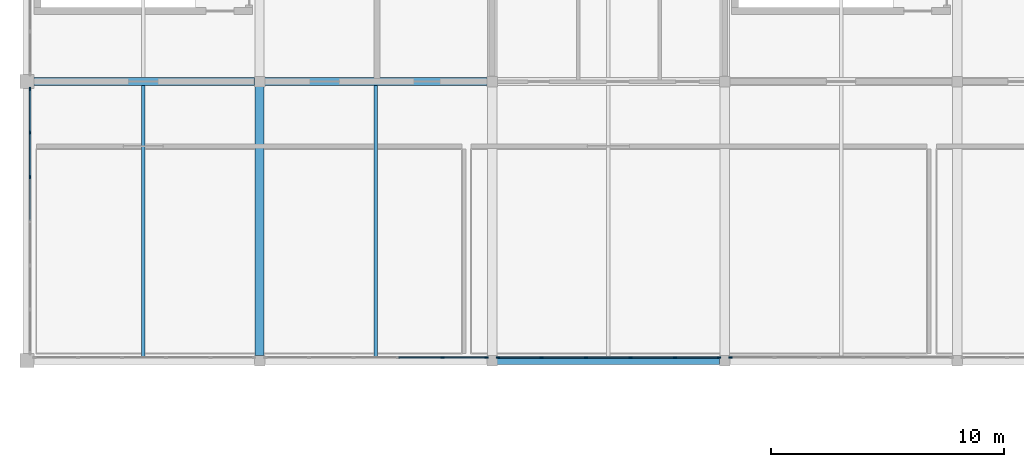
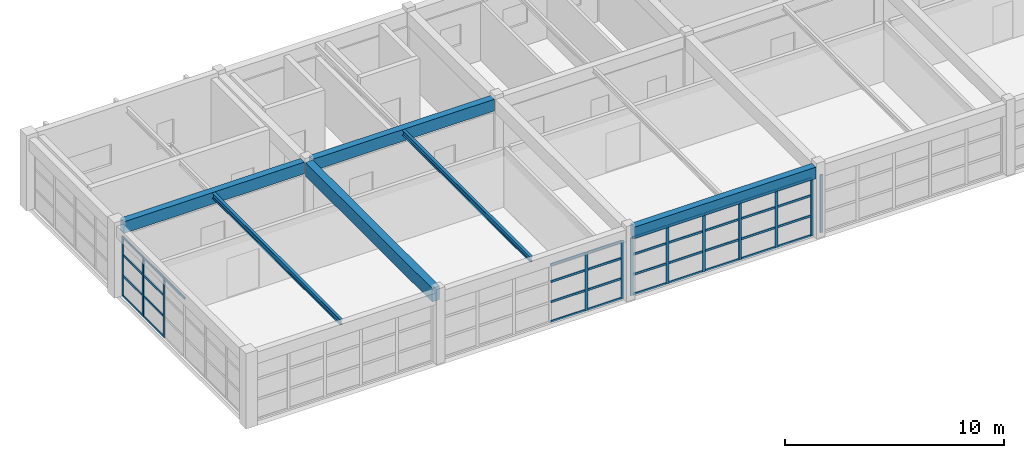
# One storey, part 4 of 16: 49 members, 6 beams, 4 elements without a shape of their own.
"""IFC4 building model written with IfcOpenShell, lengths in metres."""

import ifcopenshell
import ifcopenshell.guid

model = None  # the IFC model being written
_history = None  # IfcOwnerHistory: only IFC2X3 demands one
_inside = {}  # id of a spatial element -> (the spatial element, [elements in it])
_under = {}  # id of a project, library or spatial element -> (it, [spatial elements below it])
_declared = {}  # id of a project -> (the project, [libraries it declares])
_typed = {}  # id of a type object -> (the type object, [elements of that type])
_made_of = {}  # id of a material, layer set ... -> (it, [elements and type objects made of it])


def new_model(schema):
    """Start an empty IFC model of exactly this schema.

    Asked for "IFC4X3", IfcOpenShell would pick the latest addendum, in which some entities
    have other attributes; the version numbers below select the first issue.
    IFC2X3 requires an IfcOwnerHistory on every rooted entity: one is made here for all.
    """
    global model, _history
    if schema == "IFC4X3":
        model = ifcopenshell.file(schema_version=(4, 3, 0, 0))
    else:
        model = ifcopenshell.file(schema=schema)
    _inside.clear()
    _under.clear()
    _declared.clear()
    _typed.clear()
    _made_of.clear()
    _history = None
    if model.schema == "IFC2X3":
        org = make("IfcOrganization", Name="unknown")
        user = make(
            "IfcPersonAndOrganization",
            ThePerson=make("IfcPerson", FamilyName="unknown"),
            TheOrganization=org,
        )
        app = make(
            "IfcApplication",
            ApplicationDeveloper=org,
            Version="unknown",
            ApplicationFullName="unknown",
            ApplicationIdentifier="unknown",
        )
        _history = make(
            "IfcOwnerHistory",
            OwningUser=user,
            OwningApplication=app,
            ChangeAction="ADDED",
            CreationDate=0,
        )
    return model


def make(cls, **values):
    """One entity of the class cls with the attributes given. An attribute that is None is left unset."""
    return model.create_entity(
        cls, **{name: value for name, value in values.items() if value is not None}
    )


def rooted(cls, **values):
    """An entity with a GlobalId (a new one), such as an element, a storey or a relation."""
    return make(cls, GlobalId=ifcopenshell.guid.new(), OwnerHistory=_history, **values)


def si_unit(unit_type, name, prefix=None):
    """IfcSIUnit, for example si_unit("LENGTHUNIT", "METRE", prefix="MILLI")."""
    return make("IfcSIUnit", UnitType=unit_type, Prefix=prefix, Name=name)


def assignment(units):
    """IfcUnitAssignment: the units of a project."""
    return None if units is None else make("IfcUnitAssignment", Units=units)


def point(xyz):
    """IfcCartesianPoint."""
    return None if xyz is None else make("IfcCartesianPoint", Coordinates=xyz)


def direction(xyz):
    """IfcDirection."""
    return None if xyz is None else make("IfcDirection", DirectionRatios=xyz)


def frame(location, z_axis=None, x_axis=None):
    """IfcAxis2Placement3D, a coordinate frame: its origin and axes. An axis left out is left unset."""
    return make(
        "IfcAxis2Placement3D",
        Location=point(location),
        Axis=direction(z_axis),
        RefDirection=direction(x_axis),
    )


def frame_2d(location, x_axis=None):
    """IfcAxis2Placement2D, a coordinate frame in the plane: its origin and x axis."""
    return make(
        "IfcAxis2Placement2D", Location=point(location), RefDirection=direction(x_axis)
    )


def origin():
    """The frame at (0, 0, 0) with its axes left unset."""
    return frame((0.0, 0.0, 0.0))


def origin_2d():
    """The frame at (0, 0) in the plane with its x axis left unset."""
    return frame_2d((0.0, 0.0))


def place(relative_to, where):
    """IfcLocalPlacement: puts the frame where relative to a parent placement (None: the world)."""
    return make(
        "IfcLocalPlacement", PlacementRelTo=relative_to, RelativePlacement=where
    )


def context(
    kind, dimensions, precision=None, world=None, true_north=None, identifier=None
):
    """IfcGeometricRepresentationContext, for example the 3D "Model" context."""
    return make(
        "IfcGeometricRepresentationContext",
        ContextIdentifier=identifier,
        ContextType=kind,
        CoordinateSpaceDimension=dimensions,
        Precision=precision,
        WorldCoordinateSystem=world,
        TrueNorth=true_north,
    )


def subcontext(parent, identifier, kind, view, scale=None):
    """IfcGeometricRepresentationSubContext, for example "Body" below "Model"."""
    return make(
        "IfcGeometricRepresentationSubContext",
        ContextIdentifier=identifier,
        ContextType=kind,
        ParentContext=parent,
        TargetScale=scale,
        TargetView=view,
    )


def project(units=None, contexts=None):
    """IfcProject with its units and contexts."""
    return rooted(
        "IfcProject",
        Name="project",
        RepresentationContexts=contexts,
        UnitsInContext=assignment(units),
    )


def spatial(cls, under=None, at=None, **own):
    """A site, building, storey or space (cls), placed at a placement, below another one or the project."""
    s = rooted(cls, ObjectPlacement=at, **own)
    if under is not None:
        _under.setdefault(under.id(), (under, []))[1].append(s)
    return s


def profile(cls, at=None, kind="AREA", **sizes):
    """A parametric profile (cls). Its sizes go by their IFC names, for example OverallWidth=200.0."""
    return make(cls, ProfileType=kind, Position=at, **sizes)


def rectangle(**sizes):
    """IfcRectangleProfileDef."""
    return profile("IfcRectangleProfileDef", **sizes)


def i_section(**sizes):
    """IfcIShapeProfileDef."""
    return profile("IfcIShapeProfileDef", **sizes)


def extrude(swept, where, along, depth):
    """IfcExtrudedAreaSolid: the profile swept, set in the frame where, extruded along a direction by depth."""
    return make(
        "IfcExtrudedAreaSolid",
        SweptArea=swept,
        Position=where,
        ExtrudedDirection=direction(along),
        Depth=depth,
    )


def shape(context_of_items, identifier, shape_type, items):
    """IfcShapeRepresentation: the items that make up one representation, for example the "Body"."""
    return make(
        "IfcShapeRepresentation",
        ContextOfItems=context_of_items,
        RepresentationIdentifier=identifier,
        RepresentationType=shape_type,
        Items=items,
    )


def material(Name=None, Category=None):
    """IfcMaterial."""
    return make("IfcMaterial", Name=Name, Category=Category)


def layer(
    of_material, thickness, ventilated=None, Name=None, Category=None, Priority=None
):
    """IfcMaterialLayer: one layer of a wall or slab, of a material (None: an air gap)."""
    return make(
        "IfcMaterialLayer",
        Material=of_material,
        LayerThickness=thickness,
        IsVentilated=ventilated,
        Name=Name,
        Category=Category,
        Priority=Priority,
    )


def layer_set(layers, Name=None):
    """IfcMaterialLayerSet."""
    return make("IfcMaterialLayerSet", MaterialLayers=layers, LayerSetName=Name)


def material_profile(
    of_material, cross_section, Name=None, Category=None, Priority=None
):
    """IfcMaterialProfile: a cross section and its material."""
    return make(
        "IfcMaterialProfile",
        Name=Name,
        Material=of_material,
        Profile=cross_section,
        Priority=Priority,
        Category=Category,
    )


def profile_set(profiles, Name=None, composite=None):
    """IfcMaterialProfileSet."""
    return make(
        "IfcMaterialProfileSet",
        Name=Name,
        MaterialProfiles=profiles,
        CompositeProfile=composite,
    )


def made_of(thing, what):
    """Note that an element or type object is made of a material, layer set ...; save() writes the relation."""
    if what is not None:
        _made_of.setdefault(what.id(), (what, []))[1].append(thing)
    return thing


def type_object(cls, material=None, **own):
    """A type object (cls), such as IfcWallType, which elements share."""
    return made_of(rooted(cls, **own), material)


def element(
    cls,
    number,
    at=None,
    inside=None,
    cuts=None,
    type_object=None,
    material=None,
    context=None,
    identifier="Body",
    shape_type=None,
    held_by="IfcProductDefinitionShape",
    body=None,
    shapes=None,
    **own,
):
    """One element of the class cls, such as IfcWall. Its Tag is "e" and its number.

    at: its placement. inside: the storey or other place that contains it. cuts: it is an
    opening in that element (IfcRelVoidsElement). A single representation is given by context,
    identifier, shape_type and body (its items); several are given by shapes. held_by: the class
    of the entity that holds the representations. save() writes the other relations.
    """
    e = rooted(cls, Tag="e%d" % number, ObjectPlacement=at, **own)
    if body is not None:
        shapes = [shape(context, identifier, shape_type, body)]
    if shapes is not None:
        e.Representation = make(held_by, Representations=shapes)
    if inside is not None:
        _inside.setdefault(inside.id(), (inside, []))[1].append(e)
    if cuts is not None:
        rooted(
            "IfcRelVoidsElement", RelatingBuildingElement=cuts, RelatedOpeningElement=e
        )
    if type_object is not None:
        _typed.setdefault(type_object.id(), (type_object, []))[1].append(e)
    return made_of(e, material)


def aggregate(whole, parts):
    """IfcRelAggregates: a whole, such as a stair, and the parts it consists of."""
    return rooted("IfcRelAggregates", RelatingObject=whole, RelatedObjects=parts)


def save(model, path):
    """Write the relations noted so far, then the file.

    IfcRelAggregates (storeys below a building ...), IfcRelContainedInSpatialStructure (elements
    in a storey), IfcRelDefinesByType, IfcRelAssociatesMaterial and IfcRelDeclares: one each for
    every whole, place, type object, material and project.
    """
    for whole, parts in _under.values():
        aggregate(whole, parts)
    for where, things in _inside.values():
        rooted(
            "IfcRelContainedInSpatialStructure",
            RelatedElements=things,
            RelatingStructure=where,
        )
    for kind, things in _typed.values():
        rooted("IfcRelDefinesByType", RelatedObjects=things, RelatingType=kind)
    for what, things in _made_of.values():
        rooted("IfcRelAssociatesMaterial", RelatedObjects=things, RelatingMaterial=what)
    for by, libraries in _declared.values():
        rooted("IfcRelDeclares", RelatingContext=by, RelatedDefinitions=libraries)
    model.write(path)


model = new_model("IFC4")

# Units and contexts
model_context = context("Model", 3, precision=1e-05, world=origin(), true_north=direction((0.0, 1.0)))
body_context = subcontext(model_context, "Body", "Model", "MODEL_VIEW")
ifc_project = project(units=[si_unit("LENGTHUNIT", "METRE"), si_unit("AREAUNIT", "SQUARE_METRE"), si_unit("VOLUMEUNIT", "CUBIC_METRE"), si_unit("PLANEANGLEUNIT", "RADIAN"), si_unit("MASSUNIT", "GRAM", prefix="KILO")], contexts=[model_context])

# Site, building, storey
site_placement = place(None, origin())
site = spatial("IfcSite", under=ifc_project, at=site_placement, CompositionType="ELEMENT")
building_placement = place(site_placement, origin())
building = spatial("IfcBuilding", under=site, at=building_placement, Name="Kivolera Central Railway Station", CompositionType="ELEMENT")
storey_placement = place(building_placement, frame((0.0, 0.0, 27.0)))
storey = spatial("IfcBuildingStorey", under=building, at=storey_placement, Name="L06", CompositionType="ELEMENT", Elevation=27.0)

# Beams
ifc_material_1 = material(Name="Steel S355", Category="steel")
ifc_material_profile_1 = material_profile(ifc_material_1, i_section(OverallWidth=0.14990234375, OverallDepth=0.300048828125, WebThickness=0.007080078125, FlangeThickness=0.0107421875, FilletRadius=0.014892578125, at=origin_2d()), Name="IPE 300")
ifc_profile_set_1 = profile_set([ifc_material_profile_1], Name="Steel S355")
beam_type_1 = type_object("IfcBeamType", Name="BM-JST-IPE300", PredefinedType="JOIST", material=ifc_profile_set_1)
for number, where, z_axis, x_axis, name in (
    (1, (123.0, 114.1669921875, 3.818115234375), (0.0, 1.0, 0.0), (-1.0, 0.0, 0.0), "L06 Floor Joist 12-13/K-L"),
    (2, (133.0, 114.1669921875, 3.818115234375), (0.0, 1.0, 0.0), (-1.0, 0.0, 0.0), "L06 Floor Joist 13-14/K-L"),
):
    element("IfcBeam", number, at=place(storey_placement, frame(where, z_axis=z_axis, x_axis=x_axis)), inside=storey, type_object=beam_type_1, Name=name, PredefinedType="JOIST", context=body_context, shape_type="SweptSolid", body=[
        extrude(i_section(OverallWidth=0.14990234375, OverallDepth=0.300048828125, WebThickness=0.007080078125, FlangeThickness=0.0107421875, FilletRadius=0.014892578125, at=origin_2d()), origin(), (0.0, 0.0, 1.0), 11.666015625),
    ])
ifc_material_2 = material(Name="Concrete C40/50", Category="concrete")
ifc_material_profile_2 = material_profile(ifc_material_2, rectangle(XDim=0.35009765625, YDim=0.64990234375, at=origin_2d()), Name="RC 350x650")
ifc_profile_set_2 = profile_set([ifc_material_profile_2], Name="Concrete C40/50")
beam_type_2 = type_object("IfcBeamType", Name="BM-RC-350x650", PredefinedType="BEAM", material=ifc_profile_set_2)
beam_1_placement = place(storey_placement, frame((138.217041015625, 114.0, 3.655029296875), z_axis=(1.0, 0.0, 0.0), x_axis=(0.0, 1.0, 0.0)))
element("IfcBeam", 3, at=beam_1_placement, inside=storey, type_object=beam_type_2, Name="L06 Wing X-Beam K:14-15", PredefinedType="BEAM", context=body_context, shape_type="SweptSolid", body=[
    extrude(rectangle(XDim=0.35009765625, YDim=0.64990234375, at=origin_2d()), origin(), (0.0, 0.0, 1.0), 9.56591796875),
])
beam_2_placement = place(storey_placement, frame((118.2919921875, 126.0, 3.655029296875), z_axis=(1.0, 0.0, 0.0), x_axis=(0.0, 1.0, 0.0)))
element("IfcBeam", 4, at=beam_2_placement, inside=storey, type_object=beam_type_2, Name="L06 Wing X-Beam L:12-13", PredefinedType="BEAM", context=body_context, shape_type="SweptSolid", body=[
    extrude(rectangle(XDim=0.35009765625, YDim=0.64990234375, at=origin_2d()), origin(), (0.0, 0.0, 1.0), 9.490966796875),
])
beam_3_placement = place(storey_placement, frame((128.217041015625, 126.0, 3.655029296875), z_axis=(1.0, 0.0, 0.0), x_axis=(0.0, 1.0, 0.0)))
element("IfcBeam", 5, at=beam_3_placement, inside=storey, type_object=beam_type_2, Name="L06 Wing X-Beam L:13-14", PredefinedType="BEAM", context=body_context, shape_type="SweptSolid", body=[
    extrude(rectangle(XDim=0.35009765625, YDim=0.64990234375, at=origin_2d()), origin(), (0.0, 0.0, 1.0), 9.56591796875),
])
ifc_material_profile_3 = material_profile(ifc_material_2, rectangle(XDim=0.39990234375, YDim=0.75, at=origin_2d()), Name="RC 400x750")
ifc_profile_set_3 = profile_set([ifc_material_profile_3], Name="Concrete C40/50")
beam_type_3 = type_object("IfcBeamType", Name="BM-RC-400x750", PredefinedType="BEAM", material=ifc_profile_set_3)
beam_4_placement = place(storey_placement, frame((128.0, 114.217041015625, 3.60498046875), z_axis=(0.0, 1.0, 0.0), x_axis=(-1.0, 0.0, 0.0)))
element("IfcBeam", 6, at=beam_4_placement, inside=storey, type_object=beam_type_3, Name="L06 Wing Y-Beam 13:K-L", PredefinedType="BEAM", context=body_context, shape_type="SweptSolid", body=[
    extrude(rectangle(XDim=0.39990234375, YDim=0.75, at=origin_2d()), origin(), (0.0, 0.0, 1.0), 11.56591796875),
])

# Curtain wall, members
ifc_material_3 = material(Name="Anodised aluminium", Category="aluminium")
ifc_layer_1 = layer(ifc_material_3, 0.179931640625, Name="Anodised aluminium")
ifc_layer_set_1 = layer_set([ifc_layer_1], Name="Anodised aluminium")
curtain_wall_type_1 = type_object("IfcCurtainWallType", Name="CW-SYS-34", PredefinedType="NOTDEFINED", material=ifc_layer_set_1)
curtain_wall_1_placement = place(storey_placement, origin())
curtain_wall_1 = element("IfcCurtainWall", 7, at=curtain_wall_1_placement, inside=storey, type_object=curtain_wall_type_1, Name="L06 Curtain Wall CW-L06-SOUTH-2", PredefinedType="NOTDEFINED")
ifc_material_profile_4 = material_profile(ifc_material_3, rectangle(XDim=0.06005859375, YDim=0.14990234375, at=origin_2d()), Name="ALU MULL 60x150")
ifc_profile_set_4 = profile_set([ifc_material_profile_4], Name="Anodised aluminium")
member_type_1 = type_object("IfcMemberType", Name="CWM-MUL-2", PredefinedType="MULLION", material=ifc_profile_set_4)
member_1_placement = place(storey_placement, frame((137.75, 114.135009765625, -0.0048828125), z_axis=(0.0, 0.0, 1.0), x_axis=(0.0, -1.0, 0.0)))
member_1 = element("IfcMember", 8, at=member_1_placement, type_object=member_type_1, Name="CW-34 mullion 1", PredefinedType="MULLION", context=body_context, shape_type="SweptSolid", body=[
    extrude(rectangle(XDim=0.06005859375, YDim=0.14990234375, at=origin_2d()), origin(), (0.0, 0.0, 1.0), 3.222900390625),
])
member_2_placement = place(storey_placement, frame((135.867919921875, 114.135009765625, -0.0048828125), z_axis=(0.0, 0.0, 1.0), x_axis=(0.0, -1.0, 0.0)))
member_2 = element("IfcMember", 9, at=member_2_placement, type_object=member_type_1, Name="CW-34 mullion 2", PredefinedType="MULLION", context=body_context, shape_type="SweptSolid", body=[
    extrude(rectangle(XDim=0.06005859375, YDim=0.14990234375, at=origin_2d()), origin(), (0.0, 0.0, 1.0), 3.222900390625),
])

curtain_wall_2_placement = place(storey_placement, origin())
curtain_wall_2 = element("IfcCurtainWall", 10, at=curtain_wall_2_placement, inside=storey, type_object=curtain_wall_type_1, Name="L06 Curtain Wall CW-L06-SOUTH-3", PredefinedType="NOTDEFINED")
member_3_placement = place(storey_placement, frame((147.75, 114.135009765625, -0.0048828125), z_axis=(0.0, 0.0, 1.0), x_axis=(0.0, -1.0, 0.0)))
member_3 = element("IfcMember", 11, at=member_3_placement, type_object=member_type_1, Name="CW-34 mullion 1", PredefinedType="MULLION", context=body_context, shape_type="SweptSolid", body=[
    extrude(rectangle(XDim=0.06005859375, YDim=0.14990234375, at=origin_2d()), origin(), (0.0, 0.0, 1.0), 3.222900390625),
])
member_4_placement = place(storey_placement, frame((145.867919921875, 114.135009765625, -0.0048828125), z_axis=(0.0, 0.0, 1.0), x_axis=(0.0, -1.0, 0.0)))
member_4 = element("IfcMember", 12, at=member_4_placement, type_object=member_type_1, Name="CW-34 mullion 2", PredefinedType="MULLION", context=body_context, shape_type="SweptSolid", body=[
    extrude(rectangle(XDim=0.06005859375, YDim=0.14990234375, at=origin_2d()), origin(), (0.0, 0.0, 1.0), 3.222900390625),
])
member_5_placement = place(storey_placement, frame((143.9560546875, 114.135009765625, -0.0048828125), z_axis=(0.0, 0.0, 1.0), x_axis=(0.0, -1.0, 0.0)))
member_5 = element("IfcMember", 13, at=member_5_placement, type_object=member_type_1, Name="CW-34 mullion 3", PredefinedType="MULLION", context=body_context, shape_type="SweptSolid", body=[
    extrude(rectangle(XDim=0.06005859375, YDim=0.14990234375, at=origin_2d()), origin(), (0.0, 0.0, 1.0), 3.222900390625),
])
member_6_placement = place(storey_placement, frame((142.0439453125, 114.135009765625, -0.0048828125), z_axis=(0.0, 0.0, 1.0), x_axis=(0.0, -1.0, 0.0)))
member_6 = element("IfcMember", 14, at=member_6_placement, type_object=member_type_1, Name="CW-34 mullion 4", PredefinedType="MULLION", context=body_context, shape_type="SweptSolid", body=[
    extrude(rectangle(XDim=0.06005859375, YDim=0.14990234375, at=origin_2d()), origin(), (0.0, 0.0, 1.0), 3.222900390625),
])
member_7_placement = place(storey_placement, frame((140.132080078125, 114.135009765625, -0.0048828125), z_axis=(0.0, 0.0, 1.0), x_axis=(0.0, -1.0, 0.0)))
member_7 = element("IfcMember", 15, at=member_7_placement, type_object=member_type_1, Name="CW-34 mullion 5", PredefinedType="MULLION", context=body_context, shape_type="SweptSolid", body=[
    extrude(rectangle(XDim=0.06005859375, YDim=0.14990234375, at=origin_2d()), origin(), (0.0, 0.0, 1.0), 3.222900390625),
])
member_8_placement = place(storey_placement, frame((138.25, 114.135009765625, -0.0048828125), z_axis=(0.0, 0.0, 1.0), x_axis=(0.0, -1.0, 0.0)))
member_8 = element("IfcMember", 16, at=member_8_placement, type_object=member_type_1, Name="CW-34 mullion 6", PredefinedType="MULLION", context=body_context, shape_type="SweptSolid", body=[
    extrude(rectangle(XDim=0.06005859375, YDim=0.14990234375, at=origin_2d()), origin(), (0.0, 0.0, 1.0), 3.222900390625),
])

# Curtain wall, member
curtain_wall_3_placement = place(storey_placement, origin())
curtain_wall_3 = element("IfcCurtainWall", 17, at=curtain_wall_3_placement, inside=storey, type_object=curtain_wall_type_1, Name="L06 Curtain Wall CW-L06-SOUTH-4", PredefinedType="NOTDEFINED")
member_9_placement = place(storey_placement, frame((148.25, 114.135009765625, -0.0048828125), z_axis=(0.0, 0.0, 1.0), x_axis=(0.0, -1.0, 0.0)))
member_9 = element("IfcMember", 18, at=member_9_placement, type_object=member_type_1, Name="CW-34 mullion 6", PredefinedType="MULLION", context=body_context, shape_type="SweptSolid", body=[
    extrude(rectangle(XDim=0.06005859375, YDim=0.14990234375, at=origin_2d()), origin(), (0.0, 0.0, 1.0), 3.222900390625),
])
aggregate(curtain_wall_3, [member_9])

# Curtain wall, members
ifc_layer_2 = layer(ifc_material_3, 0.179931640625, Name="Anodised aluminium")
ifc_layer_set_2 = layer_set([ifc_layer_2], Name="Anodised aluminium")
curtain_wall_type_2 = type_object("IfcCurtainWallType", Name="CW-SYS-33", PredefinedType="NOTDEFINED", material=ifc_layer_set_2)
curtain_wall_4_placement = place(storey_placement, origin())
curtain_wall_4 = element("IfcCurtainWall", 19, at=curtain_wall_4_placement, inside=storey, type_object=curtain_wall_type_2, Name="L06 Curtain Wall CW-L06-WEST-K", PredefinedType="NOTDEFINED")
member_10_placement = place(storey_placement, frame((118.135009765625, 121.901611328125, -0.0048828125), z_axis=(0.0, 0.0, 1.0), x_axis=(-1.0, 0.0, 0.0)))
member_10 = element("IfcMember", 20, at=member_10_placement, type_object=member_type_1, Name="CW-33 mullion 5", PredefinedType="MULLION", context=body_context, shape_type="SweptSolid", body=[
    extrude(rectangle(XDim=0.06005859375, YDim=0.14990234375, at=origin_2d()), origin(), (0.0, 0.0, 1.0), 3.322998046875),
])
member_11_placement = place(storey_placement, frame((118.135009765625, 123.80322265625, -0.0048828125), z_axis=(0.0, 0.0, 1.0), x_axis=(-1.0, 0.0, 0.0)))
member_11 = element("IfcMember", 21, at=member_11_placement, type_object=member_type_1, Name="CW-33 mullion 6", PredefinedType="MULLION", context=body_context, shape_type="SweptSolid", body=[
    extrude(rectangle(XDim=0.06005859375, YDim=0.14990234375, at=origin_2d()), origin(), (0.0, 0.0, 1.0), 3.322998046875),
])
member_12_placement = place(storey_placement, frame((118.135009765625, 125.675048828125, -0.0048828125), z_axis=(0.0, 0.0, 1.0), x_axis=(-1.0, 0.0, 0.0)))
member_12 = element("IfcMember", 22, at=member_12_placement, type_object=member_type_1, Name="CW-33 mullion 7", PredefinedType="MULLION", context=body_context, shape_type="SweptSolid", body=[
    extrude(rectangle(XDim=0.06005859375, YDim=0.14990234375, at=origin_2d()), origin(), (0.0, 0.0, 1.0), 3.322998046875),
])

# Member
ifc_material_profile_5 = material_profile(ifc_material_3, rectangle(XDim=0.06005859375, YDim=0.1201171875, at=origin_2d()), Name="ALU TRAN 60x120")
ifc_profile_set_5 = profile_set([ifc_material_profile_5], Name="Anodised aluminium")
member_type_2 = type_object("IfcMemberType", Name="CWM-TRN-2", PredefinedType="USERDEFINED", material=ifc_profile_set_5)
member_13_placement = place(storey_placement, frame((137.719970703125, 114.135009765625, 0.030029296875), z_axis=(-1.0, 0.0, 0.0), x_axis=(0.0, -1.0, 0.0)))
member_13 = element("IfcMember", 23, at=member_13_placement, type_object=member_type_2, Name="CW-34 transom 1.1", ObjectType="TRANSOM", PredefinedType="USERDEFINED", context=body_context, shape_type="SweptSolid", body=[
    extrude(rectangle(XDim=0.06005859375, YDim=0.1201171875, at=origin_2d()), origin(), (0.0, 0.0, 1.0), 1.822021484375),
])

member_14_placement = place(storey_placement, frame((137.719970703125, 114.135009765625, 1.126220703125), z_axis=(-1.0, 0.0, 0.0), x_axis=(0.0, -1.0, 0.0)))
member_14 = element("IfcMember", 24, at=member_14_placement, type_object=member_type_2, Name="CW-34 transom 1.2", ObjectType="TRANSOM", PredefinedType="USERDEFINED", context=body_context, shape_type="SweptSolid", body=[
    extrude(rectangle(XDim=0.06005859375, YDim=0.1201171875, at=origin_2d()), origin(), (0.0, 0.0, 1.0), 1.822021484375),
])

member_15_placement = place(storey_placement, frame((137.719970703125, 114.135009765625, 2.252685546875), z_axis=(-1.0, 0.0, 0.0), x_axis=(0.0, -1.0, 0.0)))
member_15 = element("IfcMember", 25, at=member_15_placement, type_object=member_type_2, Name="CW-34 transom 1.3", ObjectType="TRANSOM", PredefinedType="USERDEFINED", context=body_context, shape_type="SweptSolid", body=[
    extrude(rectangle(XDim=0.06005859375, YDim=0.1201171875, at=origin_2d()), origin(), (0.0, 0.0, 1.0), 1.822021484375),
])

member_16_placement = place(storey_placement, frame((137.719970703125, 114.135009765625, 3.18798828125), z_axis=(-1.0, 0.0, 0.0), x_axis=(0.0, -1.0, 0.0)))
member_16 = element("IfcMember", 26, at=member_16_placement, type_object=member_type_2, Name="CW-34 transom 1.4", ObjectType="TRANSOM", PredefinedType="USERDEFINED", context=body_context, shape_type="SweptSolid", body=[
    extrude(rectangle(XDim=0.06005859375, YDim=0.1201171875, at=origin_2d()), origin(), (0.0, 0.0, 1.0), 1.822021484375),
])

member_17_placement = place(storey_placement, frame((135.837890625, 114.135009765625, 0.030029296875), z_axis=(-1.0, 0.0, 0.0), x_axis=(0.0, -1.0, 0.0)))
member_17 = element("IfcMember", 27, at=member_17_placement, type_object=member_type_2, Name="CW-34 transom 2.1", ObjectType="TRANSOM", PredefinedType="USERDEFINED", context=body_context, shape_type="SweptSolid", body=[
    extrude(rectangle(XDim=0.06005859375, YDim=0.1201171875, at=origin_2d()), origin(), (0.0, 0.0, 1.0), 1.851806640625),
])

member_18_placement = place(storey_placement, frame((135.837890625, 114.135009765625, 1.126220703125), z_axis=(-1.0, 0.0, 0.0), x_axis=(0.0, -1.0, 0.0)))
member_18 = element("IfcMember", 28, at=member_18_placement, type_object=member_type_2, Name="CW-34 transom 2.2", ObjectType="TRANSOM", PredefinedType="USERDEFINED", context=body_context, shape_type="SweptSolid", body=[
    extrude(rectangle(XDim=0.06005859375, YDim=0.1201171875, at=origin_2d()), origin(), (0.0, 0.0, 1.0), 1.851806640625),
])

member_19_placement = place(storey_placement, frame((135.837890625, 114.135009765625, 2.252685546875), z_axis=(-1.0, 0.0, 0.0), x_axis=(0.0, -1.0, 0.0)))
member_19 = element("IfcMember", 29, at=member_19_placement, type_object=member_type_2, Name="CW-34 transom 2.3", ObjectType="TRANSOM", PredefinedType="USERDEFINED", context=body_context, shape_type="SweptSolid", body=[
    extrude(rectangle(XDim=0.06005859375, YDim=0.1201171875, at=origin_2d()), origin(), (0.0, 0.0, 1.0), 1.851806640625),
])

member_20_placement = place(storey_placement, frame((135.837890625, 114.135009765625, 3.18798828125), z_axis=(-1.0, 0.0, 0.0), x_axis=(0.0, -1.0, 0.0)))
member_20 = element("IfcMember", 30, at=member_20_placement, type_object=member_type_2, Name="CW-34 transom 2.4", ObjectType="TRANSOM", PredefinedType="USERDEFINED", context=body_context, shape_type="SweptSolid", body=[
    extrude(rectangle(XDim=0.06005859375, YDim=0.1201171875, at=origin_2d()), origin(), (0.0, 0.0, 1.0), 1.851806640625),
])

aggregate(curtain_wall_1, [member_1, member_2, member_13, member_14, member_15, member_16, member_17, member_18, member_19, member_20])

member_21_placement = place(storey_placement, frame((147.719970703125, 114.135009765625, 0.030029296875), z_axis=(-1.0, 0.0, 0.0), x_axis=(0.0, -1.0, 0.0)))
member_21 = element("IfcMember", 31, at=member_21_placement, type_object=member_type_2, Name="CW-34 transom 1.1", ObjectType="TRANSOM", PredefinedType="USERDEFINED", context=body_context, shape_type="SweptSolid", body=[
    extrude(rectangle(XDim=0.06005859375, YDim=0.1201171875, at=origin_2d()), origin(), (0.0, 0.0, 1.0), 1.822021484375),
])

member_22_placement = place(storey_placement, frame((147.719970703125, 114.135009765625, 1.126220703125), z_axis=(-1.0, 0.0, 0.0), x_axis=(0.0, -1.0, 0.0)))
member_22 = element("IfcMember", 32, at=member_22_placement, type_object=member_type_2, Name="CW-34 transom 1.2", ObjectType="TRANSOM", PredefinedType="USERDEFINED", context=body_context, shape_type="SweptSolid", body=[
    extrude(rectangle(XDim=0.06005859375, YDim=0.1201171875, at=origin_2d()), origin(), (0.0, 0.0, 1.0), 1.822021484375),
])

member_23_placement = place(storey_placement, frame((147.719970703125, 114.135009765625, 2.252685546875), z_axis=(-1.0, 0.0, 0.0), x_axis=(0.0, -1.0, 0.0)))
member_23 = element("IfcMember", 33, at=member_23_placement, type_object=member_type_2, Name="CW-34 transom 1.3", ObjectType="TRANSOM", PredefinedType="USERDEFINED", context=body_context, shape_type="SweptSolid", body=[
    extrude(rectangle(XDim=0.06005859375, YDim=0.1201171875, at=origin_2d()), origin(), (0.0, 0.0, 1.0), 1.822021484375),
])

member_24_placement = place(storey_placement, frame((147.719970703125, 114.135009765625, 3.18798828125), z_axis=(-1.0, 0.0, 0.0), x_axis=(0.0, -1.0, 0.0)))
member_24 = element("IfcMember", 34, at=member_24_placement, type_object=member_type_2, Name="CW-34 transom 1.4", ObjectType="TRANSOM", PredefinedType="USERDEFINED", context=body_context, shape_type="SweptSolid", body=[
    extrude(rectangle(XDim=0.06005859375, YDim=0.1201171875, at=origin_2d()), origin(), (0.0, 0.0, 1.0), 1.822021484375),
])

member_25_placement = place(storey_placement, frame((145.837890625, 114.135009765625, 0.030029296875), z_axis=(-1.0, 0.0, 0.0), x_axis=(0.0, -1.0, 0.0)))
member_25 = element("IfcMember", 35, at=member_25_placement, type_object=member_type_2, Name="CW-34 transom 2.1", ObjectType="TRANSOM", PredefinedType="USERDEFINED", context=body_context, shape_type="SweptSolid", body=[
    extrude(rectangle(XDim=0.06005859375, YDim=0.1201171875, at=origin_2d()), origin(), (0.0, 0.0, 1.0), 1.851806640625),
])

member_26_placement = place(storey_placement, frame((145.837890625, 114.135009765625, 1.126220703125), z_axis=(-1.0, 0.0, 0.0), x_axis=(0.0, -1.0, 0.0)))
member_26 = element("IfcMember", 36, at=member_26_placement, type_object=member_type_2, Name="CW-34 transom 2.2", ObjectType="TRANSOM", PredefinedType="USERDEFINED", context=body_context, shape_type="SweptSolid", body=[
    extrude(rectangle(XDim=0.06005859375, YDim=0.1201171875, at=origin_2d()), origin(), (0.0, 0.0, 1.0), 1.851806640625),
])

member_27_placement = place(storey_placement, frame((145.837890625, 114.135009765625, 2.252685546875), z_axis=(-1.0, 0.0, 0.0), x_axis=(0.0, -1.0, 0.0)))
member_27 = element("IfcMember", 37, at=member_27_placement, type_object=member_type_2, Name="CW-34 transom 2.3", ObjectType="TRANSOM", PredefinedType="USERDEFINED", context=body_context, shape_type="SweptSolid", body=[
    extrude(rectangle(XDim=0.06005859375, YDim=0.1201171875, at=origin_2d()), origin(), (0.0, 0.0, 1.0), 1.851806640625),
])

member_28_placement = place(storey_placement, frame((145.837890625, 114.135009765625, 3.18798828125), z_axis=(-1.0, 0.0, 0.0), x_axis=(0.0, -1.0, 0.0)))
member_28 = element("IfcMember", 38, at=member_28_placement, type_object=member_type_2, Name="CW-34 transom 2.4", ObjectType="TRANSOM", PredefinedType="USERDEFINED", context=body_context, shape_type="SweptSolid", body=[
    extrude(rectangle(XDim=0.06005859375, YDim=0.1201171875, at=origin_2d()), origin(), (0.0, 0.0, 1.0), 1.851806640625),
])

member_29_placement = place(storey_placement, frame((143.926025390625, 114.135009765625, 0.030029296875), z_axis=(-1.0, 0.0, 0.0), x_axis=(0.0, -1.0, 0.0)))
member_29 = element("IfcMember", 39, at=member_29_placement, type_object=member_type_2, Name="CW-34 transom 3.1", ObjectType="TRANSOM", PredefinedType="USERDEFINED", context=body_context, shape_type="SweptSolid", body=[
    extrude(rectangle(XDim=0.06005859375, YDim=0.1201171875, at=origin_2d()), origin(), (0.0, 0.0, 1.0), 1.85205078125),
])

member_30_placement = place(storey_placement, frame((143.926025390625, 114.135009765625, 1.126220703125), z_axis=(-1.0, 0.0, 0.0), x_axis=(0.0, -1.0, 0.0)))
member_30 = element("IfcMember", 40, at=member_30_placement, type_object=member_type_2, Name="CW-34 transom 3.2", ObjectType="TRANSOM", PredefinedType="USERDEFINED", context=body_context, shape_type="SweptSolid", body=[
    extrude(rectangle(XDim=0.06005859375, YDim=0.1201171875, at=origin_2d()), origin(), (0.0, 0.0, 1.0), 1.85205078125),
])

member_31_placement = place(storey_placement, frame((143.926025390625, 114.135009765625, 2.252685546875), z_axis=(-1.0, 0.0, 0.0), x_axis=(0.0, -1.0, 0.0)))
member_31 = element("IfcMember", 41, at=member_31_placement, type_object=member_type_2, Name="CW-34 transom 3.3", ObjectType="TRANSOM", PredefinedType="USERDEFINED", context=body_context, shape_type="SweptSolid", body=[
    extrude(rectangle(XDim=0.06005859375, YDim=0.1201171875, at=origin_2d()), origin(), (0.0, 0.0, 1.0), 1.85205078125),
])

member_32_placement = place(storey_placement, frame((143.926025390625, 114.135009765625, 3.18798828125), z_axis=(-1.0, 0.0, 0.0), x_axis=(0.0, -1.0, 0.0)))
member_32 = element("IfcMember", 42, at=member_32_placement, type_object=member_type_2, Name="CW-34 transom 3.4", ObjectType="TRANSOM", PredefinedType="USERDEFINED", context=body_context, shape_type="SweptSolid", body=[
    extrude(rectangle(XDim=0.06005859375, YDim=0.1201171875, at=origin_2d()), origin(), (0.0, 0.0, 1.0), 1.85205078125),
])

member_33_placement = place(storey_placement, frame((142.013916015625, 114.135009765625, 0.030029296875), z_axis=(-1.0, 0.0, 0.0), x_axis=(0.0, -1.0, 0.0)))
member_33 = element("IfcMember", 43, at=member_33_placement, type_object=member_type_2, Name="CW-34 transom 4.1", ObjectType="TRANSOM", PredefinedType="USERDEFINED", context=body_context, shape_type="SweptSolid", body=[
    extrude(rectangle(XDim=0.06005859375, YDim=0.1201171875, at=origin_2d()), origin(), (0.0, 0.0, 1.0), 1.851806640625),
])

member_34_placement = place(storey_placement, frame((142.013916015625, 114.135009765625, 1.126220703125), z_axis=(-1.0, 0.0, 0.0), x_axis=(0.0, -1.0, 0.0)))
member_34 = element("IfcMember", 44, at=member_34_placement, type_object=member_type_2, Name="CW-34 transom 4.2", ObjectType="TRANSOM", PredefinedType="USERDEFINED", context=body_context, shape_type="SweptSolid", body=[
    extrude(rectangle(XDim=0.06005859375, YDim=0.1201171875, at=origin_2d()), origin(), (0.0, 0.0, 1.0), 1.851806640625),
])

member_35_placement = place(storey_placement, frame((142.013916015625, 114.135009765625, 2.252685546875), z_axis=(-1.0, 0.0, 0.0), x_axis=(0.0, -1.0, 0.0)))
member_35 = element("IfcMember", 45, at=member_35_placement, type_object=member_type_2, Name="CW-34 transom 4.3", ObjectType="TRANSOM", PredefinedType="USERDEFINED", context=body_context, shape_type="SweptSolid", body=[
    extrude(rectangle(XDim=0.06005859375, YDim=0.1201171875, at=origin_2d()), origin(), (0.0, 0.0, 1.0), 1.851806640625),
])

member_36_placement = place(storey_placement, frame((142.013916015625, 114.135009765625, 3.18798828125), z_axis=(-1.0, 0.0, 0.0), x_axis=(0.0, -1.0, 0.0)))
member_36 = element("IfcMember", 46, at=member_36_placement, type_object=member_type_2, Name="CW-34 transom 4.4", ObjectType="TRANSOM", PredefinedType="USERDEFINED", context=body_context, shape_type="SweptSolid", body=[
    extrude(rectangle(XDim=0.06005859375, YDim=0.1201171875, at=origin_2d()), origin(), (0.0, 0.0, 1.0), 1.851806640625),
])

member_37_placement = place(storey_placement, frame((140.10205078125, 114.135009765625, 0.030029296875), z_axis=(-1.0, 0.0, 0.0), x_axis=(0.0, -1.0, 0.0)))
member_37 = element("IfcMember", 47, at=member_37_placement, type_object=member_type_2, Name="CW-34 transom 5.1", ObjectType="TRANSOM", PredefinedType="USERDEFINED", context=body_context, shape_type="SweptSolid", body=[
    extrude(rectangle(XDim=0.06005859375, YDim=0.1201171875, at=origin_2d()), origin(), (0.0, 0.0, 1.0), 1.822021484375),
])

member_38_placement = place(storey_placement, frame((140.10205078125, 114.135009765625, 1.126220703125), z_axis=(-1.0, 0.0, 0.0), x_axis=(0.0, -1.0, 0.0)))
member_38 = element("IfcMember", 48, at=member_38_placement, type_object=member_type_2, Name="CW-34 transom 5.2", ObjectType="TRANSOM", PredefinedType="USERDEFINED", context=body_context, shape_type="SweptSolid", body=[
    extrude(rectangle(XDim=0.06005859375, YDim=0.1201171875, at=origin_2d()), origin(), (0.0, 0.0, 1.0), 1.822021484375),
])

member_39_placement = place(storey_placement, frame((140.10205078125, 114.135009765625, 2.252685546875), z_axis=(-1.0, 0.0, 0.0), x_axis=(0.0, -1.0, 0.0)))
member_39 = element("IfcMember", 49, at=member_39_placement, type_object=member_type_2, Name="CW-34 transom 5.3", ObjectType="TRANSOM", PredefinedType="USERDEFINED", context=body_context, shape_type="SweptSolid", body=[
    extrude(rectangle(XDim=0.06005859375, YDim=0.1201171875, at=origin_2d()), origin(), (0.0, 0.0, 1.0), 1.822021484375),
])

member_40_placement = place(storey_placement, frame((140.10205078125, 114.135009765625, 3.18798828125), z_axis=(-1.0, 0.0, 0.0), x_axis=(0.0, -1.0, 0.0)))
member_40 = element("IfcMember", 50, at=member_40_placement, type_object=member_type_2, Name="CW-34 transom 5.4", ObjectType="TRANSOM", PredefinedType="USERDEFINED", context=body_context, shape_type="SweptSolid", body=[
    extrude(rectangle(XDim=0.06005859375, YDim=0.1201171875, at=origin_2d()), origin(), (0.0, 0.0, 1.0), 1.822021484375),
])

aggregate(curtain_wall_2, [member_3, member_4, member_5, member_6, member_7, member_8, member_21, member_22, member_23, member_24, member_25, member_26, member_27, member_28, member_29, member_30, member_31, member_32, member_33, member_34, member_35, member_36, member_37, member_38, member_39, member_40])

member_41_placement = place(storey_placement, frame((118.135009765625, 120.030029296875, 3.2880859375), z_axis=(0.0, 1.0, 0.0), x_axis=(-1.0, 0.0, 0.0)))
member_41 = element("IfcMember", 51, at=member_41_placement, type_object=member_type_2, Name="CW-33 transom 4.4", ObjectType="TRANSOM", PredefinedType="USERDEFINED", context=body_context, shape_type="SweptSolid", body=[
    extrude(rectangle(XDim=0.06005859375, YDim=0.1201171875, at=origin_2d()), origin(), (0.0, 0.0, 1.0), 1.841552734375),
])

member_42_placement = place(storey_placement, frame((118.135009765625, 121.931640625, 0.030029296875), z_axis=(0.0, 1.0, 0.0), x_axis=(-1.0, 0.0, 0.0)))
member_42 = element("IfcMember", 52, at=member_42_placement, type_object=member_type_2, Name="CW-33 transom 5.1", ObjectType="TRANSOM", PredefinedType="USERDEFINED", context=body_context, shape_type="SweptSolid", body=[
    extrude(rectangle(XDim=0.06005859375, YDim=0.1201171875, at=origin_2d()), origin(), (0.0, 0.0, 1.0), 1.841796875),
])

member_43_placement = place(storey_placement, frame((118.135009765625, 121.931640625, 1.161376953125), z_axis=(0.0, 1.0, 0.0), x_axis=(-1.0, 0.0, 0.0)))
member_43 = element("IfcMember", 53, at=member_43_placement, type_object=member_type_2, Name="CW-33 transom 5.2", ObjectType="TRANSOM", PredefinedType="USERDEFINED", context=body_context, shape_type="SweptSolid", body=[
    extrude(rectangle(XDim=0.06005859375, YDim=0.1201171875, at=origin_2d()), origin(), (0.0, 0.0, 1.0), 1.841796875),
])

member_44_placement = place(storey_placement, frame((118.135009765625, 121.931640625, 2.322509765625), z_axis=(0.0, 1.0, 0.0), x_axis=(-1.0, 0.0, 0.0)))
member_44 = element("IfcMember", 54, at=member_44_placement, type_object=member_type_2, Name="CW-33 transom 5.3", ObjectType="TRANSOM", PredefinedType="USERDEFINED", context=body_context, shape_type="SweptSolid", body=[
    extrude(rectangle(XDim=0.06005859375, YDim=0.1201171875, at=origin_2d()), origin(), (0.0, 0.0, 1.0), 1.841796875),
])

member_45_placement = place(storey_placement, frame((118.135009765625, 121.931640625, 3.2880859375), z_axis=(0.0, 1.0, 0.0), x_axis=(-1.0, 0.0, 0.0)))
member_45 = element("IfcMember", 55, at=member_45_placement, type_object=member_type_2, Name="CW-33 transom 5.4", ObjectType="TRANSOM", PredefinedType="USERDEFINED", context=body_context, shape_type="SweptSolid", body=[
    extrude(rectangle(XDim=0.06005859375, YDim=0.1201171875, at=origin_2d()), origin(), (0.0, 0.0, 1.0), 1.841796875),
])

member_46_placement = place(storey_placement, frame((118.135009765625, 123.833251953125, 0.030029296875), z_axis=(0.0, 1.0, 0.0), x_axis=(-1.0, 0.0, 0.0)))
member_46 = element("IfcMember", 56, at=member_46_placement, type_object=member_type_2, Name="CW-33 transom 6.1", ObjectType="TRANSOM", PredefinedType="USERDEFINED", context=body_context, shape_type="SweptSolid", body=[
    extrude(rectangle(XDim=0.06005859375, YDim=0.1201171875, at=origin_2d()), origin(), (0.0, 0.0, 1.0), 1.811767578125),
])

member_47_placement = place(storey_placement, frame((118.135009765625, 123.833251953125, 1.161376953125), z_axis=(0.0, 1.0, 0.0), x_axis=(-1.0, 0.0, 0.0)))
member_47 = element("IfcMember", 57, at=member_47_placement, type_object=member_type_2, Name="CW-33 transom 6.2", ObjectType="TRANSOM", PredefinedType="USERDEFINED", context=body_context, shape_type="SweptSolid", body=[
    extrude(rectangle(XDim=0.06005859375, YDim=0.1201171875, at=origin_2d()), origin(), (0.0, 0.0, 1.0), 1.811767578125),
])

member_48_placement = place(storey_placement, frame((118.135009765625, 123.833251953125, 2.322509765625), z_axis=(0.0, 1.0, 0.0), x_axis=(-1.0, 0.0, 0.0)))
member_48 = element("IfcMember", 58, at=member_48_placement, type_object=member_type_2, Name="CW-33 transom 6.3", ObjectType="TRANSOM", PredefinedType="USERDEFINED", context=body_context, shape_type="SweptSolid", body=[
    extrude(rectangle(XDim=0.06005859375, YDim=0.1201171875, at=origin_2d()), origin(), (0.0, 0.0, 1.0), 1.811767578125),
])

member_49_placement = place(storey_placement, frame((118.135009765625, 123.833251953125, 3.2880859375), z_axis=(0.0, 1.0, 0.0), x_axis=(-1.0, 0.0, 0.0)))
member_49 = element("IfcMember", 59, at=member_49_placement, type_object=member_type_2, Name="CW-33 transom 6.4", ObjectType="TRANSOM", PredefinedType="USERDEFINED", context=body_context, shape_type="SweptSolid", body=[
    extrude(rectangle(XDim=0.06005859375, YDim=0.1201171875, at=origin_2d()), origin(), (0.0, 0.0, 1.0), 1.811767578125),
])

aggregate(curtain_wall_4, [member_10, member_11, member_12, member_41, member_42, member_43, member_44, member_45, member_46, member_47, member_48, member_49])

save(model, "model.ifc")
